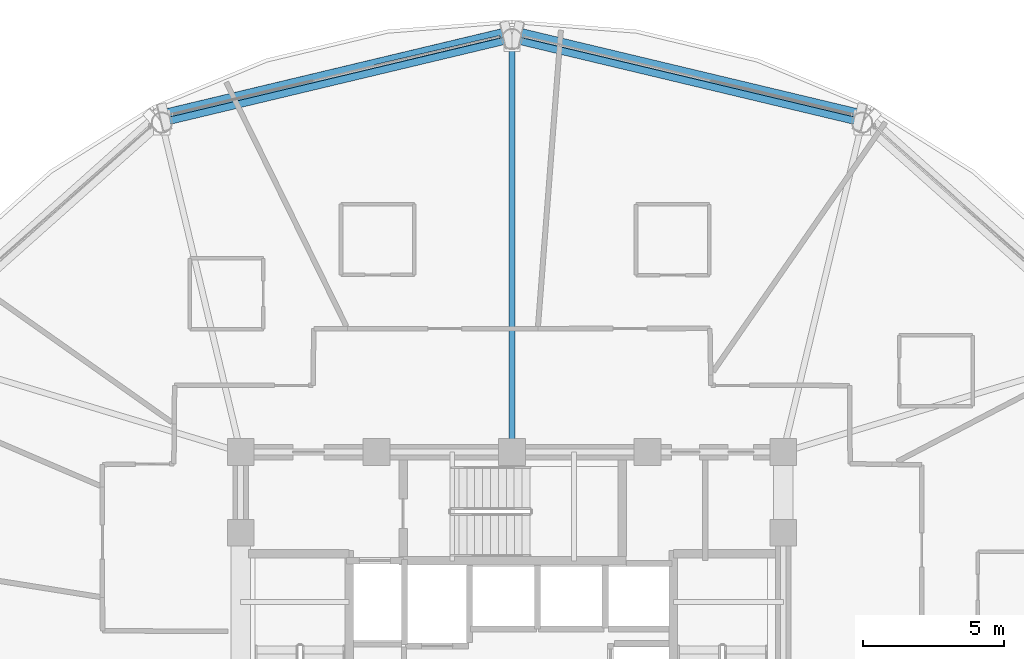
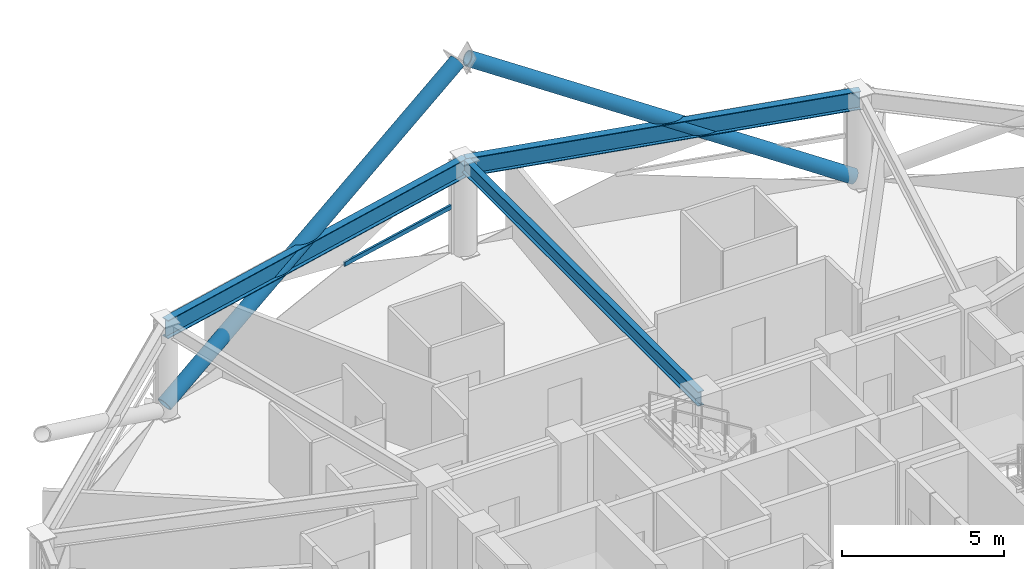
# One storey, part 15 of 29: 3 beams, 3 members, 1 element without a shape of its own.
"""IFC4 building model written with IfcOpenShell, lengths in metres."""

from ifc_helpers import new_model, si_unit, direction, frame, origin, origin_2d, place, context, subcontext, project, spatial, hollow_rectangle, hollow_circle, i_section, extrude, material, layer, layer_set, material_profile, profile_set, type_object, element, aggregate, save


model = new_model("IFC4")

# Units and contexts
model_context = context("Model", 3, precision=1e-05, world=origin(), true_north=direction((0.0, 1.0)))
body_context = subcontext(model_context, "Body", "Model", "MODEL_VIEW")
ifc_project = project(units=[si_unit("LENGTHUNIT", "METRE"), si_unit("AREAUNIT", "SQUARE_METRE"), si_unit("VOLUMEUNIT", "CUBIC_METRE"), si_unit("PLANEANGLEUNIT", "RADIAN"), si_unit("MASSUNIT", "GRAM", prefix="KILO")], contexts=[model_context])

# Site, building, storey
site_placement = place(None, origin())
site = spatial("IfcSite", under=ifc_project, at=site_placement, CompositionType="ELEMENT")
building_placement = place(site_placement, origin())
building = spatial("IfcBuilding", under=site, at=building_placement, Name="Vantalir Tower", CompositionType="ELEMENT")
storey_placement = place(building_placement, frame((0.0, 0.0, 149.699951171875)))
storey = spatial("IfcBuildingStorey", under=building, at=storey_placement, Name="L37", CompositionType="ELEMENT", Elevation=149.699951171875)

# Beams
ifc_material_1 = material(Name="Steel S355", Category="steel")
ifc_material_profile_1 = material_profile(ifc_material_1, i_section(OverallWidth=0.2109375, OverallDepth=0.5390625, WebThickness=0.01171875, FlangeThickness=0.018798828125, at=origin_2d()), Name="Steel S355")
ifc_profile_set_1 = profile_set([ifc_material_profile_1], Name="Steel S355")
beam_type_1 = type_object("IfcBeamType", Name="BM-RB-533x210", PredefinedType="BEAM", material=ifc_profile_set_1)
beam_1_placement = place(storey_placement, frame((31.5, 47.069091796875, 3.301025390625), z_axis=(0.0, -1.0, 0.0), x_axis=(1.0, 0.0, 0.0)))
element("IfcBeam", 1, at=beam_1_placement, inside=storey, type_object=beam_type_1, Name="L37 Radial Floor Beam 04", PredefinedType="BEAM", context=body_context, shape_type="SweptSolid", body=[
    extrude(i_section(OverallWidth=0.2109375, OverallDepth=0.5390625, WebThickness=0.01171875, FlangeThickness=0.018798828125, at=origin_2d()), origin(), (0.0, 0.0, 1.0), 14.619140625),
])
ifc_material_2 = material(Name="Steel S460", Category="steel")
ifc_material_profile_2 = material_profile(ifc_material_2, i_section(OverallWidth=0.256103515625, OverallDepth=0.693115234375, WebThickness=0.014404296875, FlangeThickness=0.023681640625, at=origin_2d()), Name="Steel S460")
ifc_profile_set_2 = profile_set([ifc_material_profile_2], Name="Steel S460")
beam_type_2 = type_object("IfcBeamType", Name="BM-RG-686x254", PredefinedType="USERDEFINED", material=ifc_profile_set_2)
beam_2_placement = place(storey_placement, frame((43.89208984375, 44.112060546875, 3.22412109375), z_axis=(-0.972690538126, 0.232105831549, 0.0), x_axis=(-0.232105831549, -0.972690538126, 0.0)))
element("IfcBeam", 2, at=beam_2_placement, inside=storey, type_object=beam_type_2, Name="L37 Circumferential Ring Girder 03", ObjectType="GIRDER", PredefinedType="USERDEFINED", context=body_context, shape_type="SweptSolid", body=[
    extrude(i_section(OverallWidth=0.256103515625, OverallDepth=0.693115234375, WebThickness=0.014404296875, FlangeThickness=0.023681640625, at=origin_2d()), origin(), (0.0, 0.0, 1.0), 12.739990234375),
])
beam_3_placement = place(storey_placement, frame((31.5, 47.069091796875, 3.22412109375), z_axis=(-0.972686408119, -0.232123138573, 0.0), x_axis=(0.232123138573, -0.972686408119, 0.0)))
element("IfcBeam", 3, at=beam_3_placement, inside=storey, type_object=beam_type_2, Name="L37 Circumferential Ring Girder 04", ObjectType="GIRDER", PredefinedType="USERDEFINED", context=body_context, shape_type="SweptSolid", body=[
    extrude(i_section(OverallWidth=0.256103515625, OverallDepth=0.693115234375, WebThickness=0.014404296875, FlangeThickness=0.023681640625, at=origin_2d()), origin(), (0.0, 0.0, 1.0), 12.739013671875),
])

# Curtain wall, member
ifc_material_3 = material(Name="Champagne-silver PVDF aluminium and double-silver Low-E glass", Category="aluminium")
ifc_layer = layer(ifc_material_3, 0.199951171875)
ifc_layer_set = layer_set([ifc_layer], Name="Champagne-silver PVDF aluminium and double-silver Low-E glass")
curtain_wall_type = type_object("IfcCurtainWallType", Name="CW-DIAMOND-Z2", PredefinedType="USERDEFINED", material=ifc_layer_set)
curtain_wall_placement = place(storey_placement, origin())
curtain_wall = element("IfcCurtainWall", 4, at=curtain_wall_placement, inside=storey, type_object=curtain_wall_type, Name="L37 Quilted Pyramid-Diamond Curtain Wall S04", ObjectType="UNITISED CURTAIN WALL", PredefinedType="USERDEFINED")
ifc_material_4 = material(Name="Champagne-silver PVDF aluminium 6063-T6", Category="aluminium")
ifc_material_profile_3 = material_profile(ifc_material_4, hollow_rectangle(XDim=0.074951171875, YDim=0.159912109375, WallThickness=0.00390625, at=origin_2d()), Name="Champagne-silver PVDF aluminium 6063-T6")
ifc_profile_set_3 = profile_set([ifc_material_profile_3], Name="Champagne-silver PVDF aluminium 6063-T6")
member_type_1 = type_object("IfcMemberType", Name="CWT-160x75", PredefinedType="USERDEFINED", material=ifc_profile_set_3)
member_1_placement = place(storey_placement, frame((31.072021484375, 47.156982421875, 1.78515625), z_axis=(-0.973866964726, -0.227119208822, 0.0), x_axis=(0.227119208822, -0.973866964726, 0.0)))
member_1 = element("IfcMember", 5, at=member_1_placement, type_object=member_type_1, Name="CW-L37-S04 Pyramid Fold Ridge Transom", ObjectType="TRANSOM", PredefinedType="USERDEFINED", context=body_context, shape_type="SweptSolid", body=[
    extrude(hollow_rectangle(XDim=0.074951171875, YDim=0.159912109375, WallThickness=0.00390625, at=origin_2d()), origin(), (0.0, 0.0, 1.0), 4.543701171875),
])
aggregate(curtain_wall, [member_1])

# Members
ifc_material_profile_4 = material_profile(ifc_material_2, hollow_circle(Radius=0.260009765625, WallThickness=0.0380859375, at=origin_2d()), Name="Steel S460")
ifc_profile_set_4 = profile_set([ifc_material_profile_4], Name="Steel S460")
member_type_2 = type_object("IfcMemberType", Name="MEM-DB-520x38", PredefinedType="BRACE", material=ifc_profile_set_4)
member_2_placement = place(storey_placement, frame((43.800048828125, 44.322021484375, 0.18701171875), z_axis=(-0.849462914761, 0.202816440356, 0.487112151323), x_axis=(-0.23223094532, -0.972660674663, 0.0)))
element("IfcMember", 6, at=member_2_placement, inside=storey, type_object=member_type_2, Name="L37 Perimeter S460 Diagrid Brace R07L", PredefinedType="BRACE", context=body_context, shape_type="SweptSolid", body=[
    extrude(hollow_circle(Radius=0.260009765625, WallThickness=0.0380859375, at=origin_2d()), origin(), (0.0, 0.0, 1.0), 14.259521484375),
])
member_3_placement = place(storey_placement, frame((19.200927734375, 44.322021484375, 0.18701171875), z_axis=(0.849443846177, 0.202828239742, 0.487140490367), x_axis=(-0.232248659538, 0.972656445073, 0.0)))
element("IfcMember", 7, at=member_3_placement, inside=storey, type_object=member_type_2, Name="L37 Perimeter S460 Diagrid Brace R13R", PredefinedType="BRACE", context=body_context, shape_type="SweptSolid", body=[
    extrude(hollow_circle(Radius=0.260009765625, WallThickness=0.0380859375, at=origin_2d()), origin(), (0.0, 0.0, 1.0), 14.2587890625),
])

save(model, "model.ifc")
